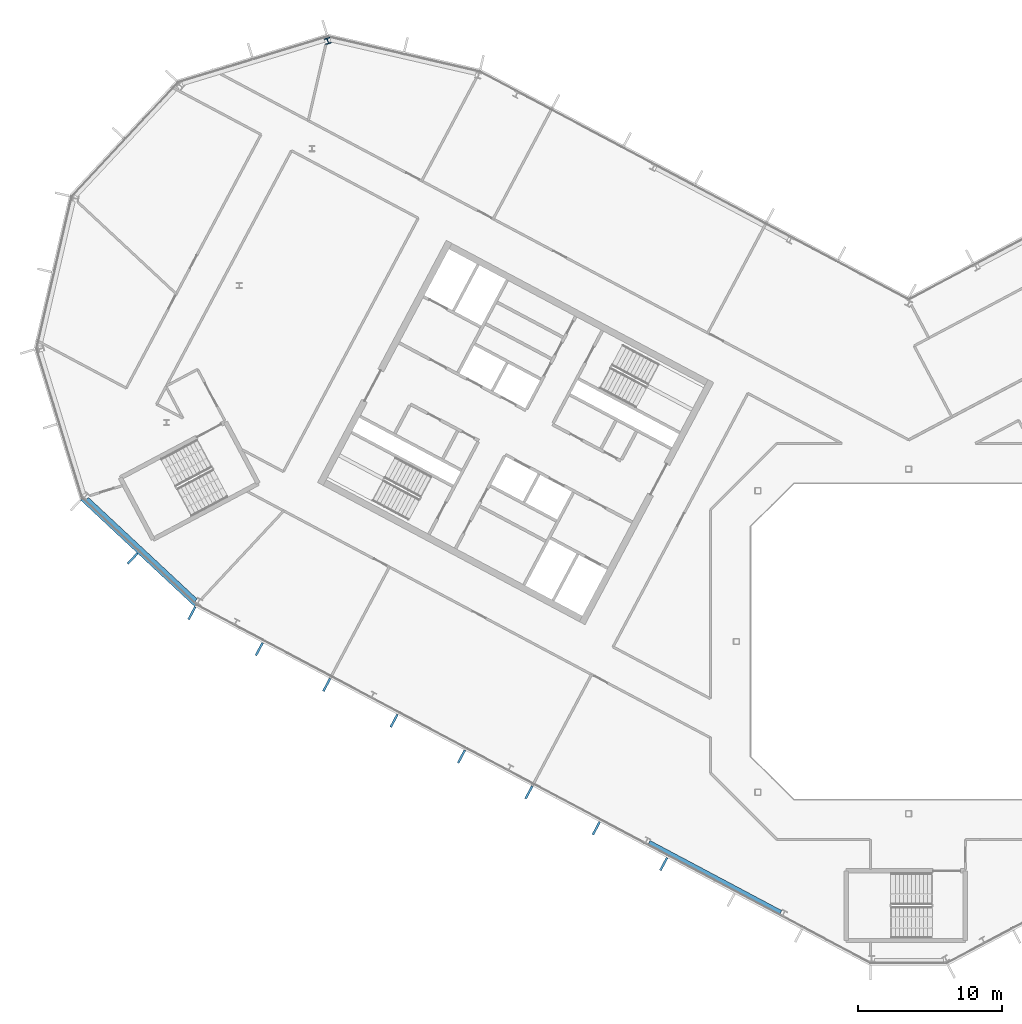
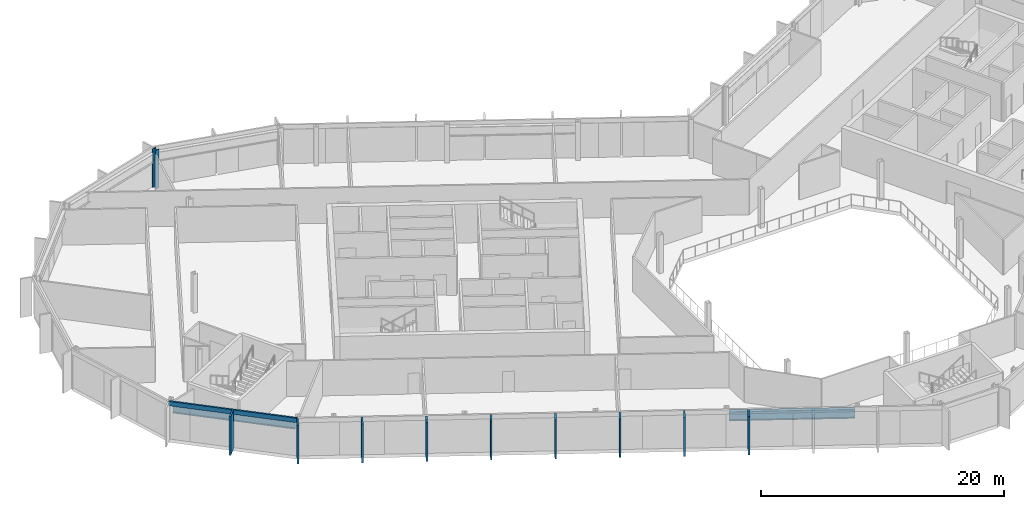
# One storey, part 8 of 26: 10 members, 2 beams, 1 column, 2 elements without a shape of their own.
"""IFC4 building model written with IfcOpenShell, lengths in metres."""

import ifcopenshell
import ifcopenshell.guid

model = None  # the IFC model being written
_history = None  # IfcOwnerHistory: only IFC2X3 demands one
_inside = {}  # id of a spatial element -> (the spatial element, [elements in it])
_under = {}  # id of a project, library or spatial element -> (it, [spatial elements below it])
_declared = {}  # id of a project -> (the project, [libraries it declares])
_typed = {}  # id of a type object -> (the type object, [elements of that type])
_made_of = {}  # id of a material, layer set ... -> (it, [elements and type objects made of it])


def new_model(schema):
    """Start an empty IFC model of exactly this schema.

    Asked for "IFC4X3", IfcOpenShell would pick the latest addendum, in which some entities
    have other attributes; the version numbers below select the first issue.
    IFC2X3 requires an IfcOwnerHistory on every rooted entity: one is made here for all.
    """
    global model, _history
    if schema == "IFC4X3":
        model = ifcopenshell.file(schema_version=(4, 3, 0, 0))
    else:
        model = ifcopenshell.file(schema=schema)
    _inside.clear()
    _under.clear()
    _declared.clear()
    _typed.clear()
    _made_of.clear()
    _history = None
    if model.schema == "IFC2X3":
        org = make("IfcOrganization", Name="unknown")
        user = make(
            "IfcPersonAndOrganization",
            ThePerson=make("IfcPerson", FamilyName="unknown"),
            TheOrganization=org,
        )
        app = make(
            "IfcApplication",
            ApplicationDeveloper=org,
            Version="unknown",
            ApplicationFullName="unknown",
            ApplicationIdentifier="unknown",
        )
        _history = make(
            "IfcOwnerHistory",
            OwningUser=user,
            OwningApplication=app,
            ChangeAction="ADDED",
            CreationDate=0,
        )
    return model


def make(cls, **values):
    """One entity of the class cls with the attributes given. An attribute that is None is left unset."""
    return model.create_entity(
        cls, **{name: value for name, value in values.items() if value is not None}
    )


def rooted(cls, **values):
    """An entity with a GlobalId (a new one), such as an element, a storey or a relation."""
    return make(cls, GlobalId=ifcopenshell.guid.new(), OwnerHistory=_history, **values)


def si_unit(unit_type, name, prefix=None):
    """IfcSIUnit, for example si_unit("LENGTHUNIT", "METRE", prefix="MILLI")."""
    return make("IfcSIUnit", UnitType=unit_type, Prefix=prefix, Name=name)


def assignment(units):
    """IfcUnitAssignment: the units of a project."""
    return None if units is None else make("IfcUnitAssignment", Units=units)


def point(xyz):
    """IfcCartesianPoint."""
    return None if xyz is None else make("IfcCartesianPoint", Coordinates=xyz)


def direction(xyz):
    """IfcDirection."""
    return None if xyz is None else make("IfcDirection", DirectionRatios=xyz)


def frame(location, z_axis=None, x_axis=None):
    """IfcAxis2Placement3D, a coordinate frame: its origin and axes. An axis left out is left unset."""
    return make(
        "IfcAxis2Placement3D",
        Location=point(location),
        Axis=direction(z_axis),
        RefDirection=direction(x_axis),
    )


def frame_2d(location, x_axis=None):
    """IfcAxis2Placement2D, a coordinate frame in the plane: its origin and x axis."""
    return make(
        "IfcAxis2Placement2D", Location=point(location), RefDirection=direction(x_axis)
    )


def origin():
    """The frame at (0, 0, 0) with its axes left unset."""
    return frame((0.0, 0.0, 0.0))


def origin_2d():
    """The frame at (0, 0) in the plane with its x axis left unset."""
    return frame_2d((0.0, 0.0))


def place(relative_to, where):
    """IfcLocalPlacement: puts the frame where relative to a parent placement (None: the world)."""
    return make(
        "IfcLocalPlacement", PlacementRelTo=relative_to, RelativePlacement=where
    )


def context(
    kind, dimensions, precision=None, world=None, true_north=None, identifier=None
):
    """IfcGeometricRepresentationContext, for example the 3D "Model" context."""
    return make(
        "IfcGeometricRepresentationContext",
        ContextIdentifier=identifier,
        ContextType=kind,
        CoordinateSpaceDimension=dimensions,
        Precision=precision,
        WorldCoordinateSystem=world,
        TrueNorth=true_north,
    )


def subcontext(parent, identifier, kind, view, scale=None):
    """IfcGeometricRepresentationSubContext, for example "Body" below "Model"."""
    return make(
        "IfcGeometricRepresentationSubContext",
        ContextIdentifier=identifier,
        ContextType=kind,
        ParentContext=parent,
        TargetScale=scale,
        TargetView=view,
    )


def project(units=None, contexts=None):
    """IfcProject with its units and contexts."""
    return rooted(
        "IfcProject",
        Name="project",
        RepresentationContexts=contexts,
        UnitsInContext=assignment(units),
    )


def spatial(cls, under=None, at=None, **own):
    """A site, building, storey or space (cls), placed at a placement, below another one or the project."""
    s = rooted(cls, ObjectPlacement=at, **own)
    if under is not None:
        _under.setdefault(under.id(), (under, []))[1].append(s)
    return s


def profile(cls, at=None, kind="AREA", **sizes):
    """A parametric profile (cls). Its sizes go by their IFC names, for example OverallWidth=200.0."""
    return make(cls, ProfileType=kind, Position=at, **sizes)


def rectangle(**sizes):
    """IfcRectangleProfileDef."""
    return profile("IfcRectangleProfileDef", **sizes)


def i_section(**sizes):
    """IfcIShapeProfileDef."""
    return profile("IfcIShapeProfileDef", **sizes)


def extrude(swept, where, along, depth):
    """IfcExtrudedAreaSolid: the profile swept, set in the frame where, extruded along a direction by depth."""
    return make(
        "IfcExtrudedAreaSolid",
        SweptArea=swept,
        Position=where,
        ExtrudedDirection=direction(along),
        Depth=depth,
    )


def shape(context_of_items, identifier, shape_type, items):
    """IfcShapeRepresentation: the items that make up one representation, for example the "Body"."""
    return make(
        "IfcShapeRepresentation",
        ContextOfItems=context_of_items,
        RepresentationIdentifier=identifier,
        RepresentationType=shape_type,
        Items=items,
    )


def material(Name=None, Category=None):
    """IfcMaterial."""
    return make("IfcMaterial", Name=Name, Category=Category)


def layer(
    of_material, thickness, ventilated=None, Name=None, Category=None, Priority=None
):
    """IfcMaterialLayer: one layer of a wall or slab, of a material (None: an air gap)."""
    return make(
        "IfcMaterialLayer",
        Material=of_material,
        LayerThickness=thickness,
        IsVentilated=ventilated,
        Name=Name,
        Category=Category,
        Priority=Priority,
    )


def layer_set(layers, Name=None):
    """IfcMaterialLayerSet."""
    return make("IfcMaterialLayerSet", MaterialLayers=layers, LayerSetName=Name)


def material_profile(
    of_material, cross_section, Name=None, Category=None, Priority=None
):
    """IfcMaterialProfile: a cross section and its material."""
    return make(
        "IfcMaterialProfile",
        Name=Name,
        Material=of_material,
        Profile=cross_section,
        Priority=Priority,
        Category=Category,
    )


def profile_set(profiles, Name=None, composite=None):
    """IfcMaterialProfileSet."""
    return make(
        "IfcMaterialProfileSet",
        Name=Name,
        MaterialProfiles=profiles,
        CompositeProfile=composite,
    )


def made_of(thing, what):
    """Note that an element or type object is made of a material, layer set ...; save() writes the relation."""
    if what is not None:
        _made_of.setdefault(what.id(), (what, []))[1].append(thing)
    return thing


def type_object(cls, material=None, **own):
    """A type object (cls), such as IfcWallType, which elements share."""
    return made_of(rooted(cls, **own), material)


def element(
    cls,
    number,
    at=None,
    inside=None,
    cuts=None,
    type_object=None,
    material=None,
    context=None,
    identifier="Body",
    shape_type=None,
    held_by="IfcProductDefinitionShape",
    body=None,
    shapes=None,
    **own,
):
    """One element of the class cls, such as IfcWall. Its Tag is "e" and its number.

    at: its placement. inside: the storey or other place that contains it. cuts: it is an
    opening in that element (IfcRelVoidsElement). A single representation is given by context,
    identifier, shape_type and body (its items); several are given by shapes. held_by: the class
    of the entity that holds the representations. save() writes the other relations.
    """
    e = rooted(cls, Tag="e%d" % number, ObjectPlacement=at, **own)
    if body is not None:
        shapes = [shape(context, identifier, shape_type, body)]
    if shapes is not None:
        e.Representation = make(held_by, Representations=shapes)
    if inside is not None:
        _inside.setdefault(inside.id(), (inside, []))[1].append(e)
    if cuts is not None:
        rooted(
            "IfcRelVoidsElement", RelatingBuildingElement=cuts, RelatedOpeningElement=e
        )
    if type_object is not None:
        _typed.setdefault(type_object.id(), (type_object, []))[1].append(e)
    return made_of(e, material)


def aggregate(whole, parts):
    """IfcRelAggregates: a whole, such as a stair, and the parts it consists of."""
    return rooted("IfcRelAggregates", RelatingObject=whole, RelatedObjects=parts)


def save(model, path):
    """Write the relations noted so far, then the file.

    IfcRelAggregates (storeys below a building ...), IfcRelContainedInSpatialStructure (elements
    in a storey), IfcRelDefinesByType, IfcRelAssociatesMaterial and IfcRelDeclares: one each for
    every whole, place, type object, material and project.
    """
    for whole, parts in _under.values():
        aggregate(whole, parts)
    for where, things in _inside.values():
        rooted(
            "IfcRelContainedInSpatialStructure",
            RelatedElements=things,
            RelatingStructure=where,
        )
    for kind, things in _typed.values():
        rooted("IfcRelDefinesByType", RelatedObjects=things, RelatingType=kind)
    for what, things in _made_of.values():
        rooted("IfcRelAssociatesMaterial", RelatedObjects=things, RelatingMaterial=what)
    for by, libraries in _declared.values():
        rooted("IfcRelDeclares", RelatingContext=by, RelatedDefinitions=libraries)
    model.write(path)


model = new_model("IFC4")

# Units and contexts
model_context = context("Model", 3, precision=1e-05, world=origin(), true_north=direction((0.0, 1.0)))
body_context = subcontext(model_context, "Body", "Model", "MODEL_VIEW")
ifc_project = project(units=[si_unit("LENGTHUNIT", "METRE"), si_unit("AREAUNIT", "SQUARE_METRE"), si_unit("VOLUMEUNIT", "CUBIC_METRE"), si_unit("PLANEANGLEUNIT", "RADIAN"), si_unit("MASSUNIT", "GRAM", prefix="KILO")], contexts=[model_context])

# Site, building, storey
site_placement = place(None, origin())
site = spatial("IfcSite", under=ifc_project, at=site_placement, CompositionType="ELEMENT")
building_placement = place(site_placement, origin())
building = spatial("IfcBuilding", under=site, at=building_placement, Name="Cormorant Relay Tower", CompositionType="ELEMENT")
storey_placement = place(building_placement, frame((0.0, 0.0, 300.89990234375)))
storey = spatial("IfcBuildingStorey", under=building, at=storey_placement, Name="L68", CompositionType="ELEMENT", Elevation=300.89990234375)

# Column
ifc_material_1 = material(Name="Steel ASTM A992 (Fy 345 MPa)", Category="steel")
ifc_material_profile_1 = material_profile(ifc_material_1, i_section(OverallWidth=0.40380859375, OverallDepth=0.406494140625, WebThickness=0.027099609375, FlangeThickness=0.043701171875, FilletRadius=0.01513671875, at=origin_2d()), Name="W360x347")
ifc_profile_set_1 = profile_set([ifc_material_profile_1], Name="Steel ASTM A992 (Fy 345 MPa)")
column_type = type_object("IfcColumnType", Name="Column W360x347", PredefinedType="COLUMN", material=ifc_profile_set_1)
column_placement = place(storey_placement, frame((-40.455078125, 41.823974609375, 0.0), z_axis=(0.0, 0.0, 1.0), x_axis=(-0.956304755963, -0.292371704723, 0.0)))
element("IfcColumn", 1, at=column_placement, inside=storey, type_object=column_type, Name="Column L68-043", PredefinedType="COLUMN", context=body_context, shape_type="SweptSolid", body=[
    extrude(i_section(OverallWidth=0.40380859375, OverallDepth=0.406494140625, WebThickness=0.027099609375, FlangeThickness=0.043701171875, FilletRadius=0.01513671875, at=origin_2d()), origin(), (0.0, 0.0, 1.0), 3.900146484375),
])

# Curtain wall, member
ifc_material_2 = material(Name="Aluminium 6063-T6 anodised bronze", Category="aluminium")
ifc_layer = layer(ifc_material_2, 0.199951171875)
ifc_layer_set = layer_set([ifc_layer], Name="CW1 unitised bronze curtain wall with vertical fins")
curtain_wall_type = type_object("IfcCurtainWallType", Name="CW1 unitised bronze curtain wall with vertical fins", PredefinedType="NOTDEFINED", material=ifc_layer_set)
curtain_wall_1_placement = place(storey_placement, origin())
curtain_wall_1 = element("IfcCurtainWall", 2, at=curtain_wall_1_placement, inside=storey, type_object=curtain_wall_type, Name="CW1 curtain wall 15", PredefinedType="NOTDEFINED")
ifc_material_3 = material(Name="Aluminium 6063-T6 anodised bronze", Category="aluminium")
ifc_material_profile_2 = material_profile(ifc_material_3, rectangle(XDim=0.14990234375, YDim=1.0, at=origin_2d()), Name="AL 150x1000")
ifc_profile_set_2 = profile_set([ifc_material_profile_2], Name="Aluminium 6063-T6 anodised bronze")
member_type_1 = type_object("IfcMemberType", Name="CW1 bronze fin mullion 150 x 1000", PredefinedType="MULLION", material=ifc_profile_set_2)
member_1_placement = place(storey_placement, frame((-54.0439453125, 5.779296875, 0.0), z_axis=(0.0, 0.0, 1.0), x_axis=(0.731353701619, -0.681998360062, 0.0)))
member_1 = element("IfcMember", 3, at=member_1_placement, type_object=member_type_1, Name="CW1 fin 15.2", PredefinedType="MULLION", context=body_context, shape_type="SweptSolid", body=[
    extrude(rectangle(XDim=0.14990234375, YDim=1.0, at=origin_2d()), origin(), (0.0, 0.0, 1.0), 3.900146484375),
])

# Curtain wall, members
curtain_wall_2_placement = place(storey_placement, origin())
curtain_wall_2 = element("IfcCurtainWall", 4, at=curtain_wall_2_placement, inside=storey, type_object=curtain_wall_type, Name="CW1 curtain wall 16", PredefinedType="NOTDEFINED")
member_2_placement = place(storey_placement, frame((-49.920166015625, 1.96630859375, 0.0), z_axis=(0.0, 0.0, 1.0), x_axis=(0.882947592859, -0.469471562786, 0.0)))
member_2 = element("IfcMember", 5, at=member_2_placement, type_object=member_type_1, Name="CW1 fin 16.1", PredefinedType="MULLION", context=body_context, shape_type="SweptSolid", body=[
    extrude(rectangle(XDim=0.14990234375, YDim=1.0, at=origin_2d()), origin(), (0.0, 0.0, 1.0), 3.900146484375),
])
member_3_placement = place(storey_placement, frame((-45.225830078125, -0.52978515625, 0.0), z_axis=(0.0, 0.0, 1.0), x_axis=(0.882947592859, -0.469471562786, 0.0)))
member_3 = element("IfcMember", 6, at=member_3_placement, type_object=member_type_1, Name="CW1 fin 16.2", PredefinedType="MULLION", context=body_context, shape_type="SweptSolid", body=[
    extrude(rectangle(XDim=0.14990234375, YDim=1.0, at=origin_2d()), origin(), (0.0, 0.0, 1.0), 3.900146484375),
])
member_4_placement = place(storey_placement, frame((-40.531494140625, -3.025634765625, 0.0), z_axis=(0.0, 0.0, 1.0), x_axis=(0.882947592859, -0.469471562786, 0.0)))
member_4 = element("IfcMember", 7, at=member_4_placement, type_object=member_type_1, Name="CW1 fin 16.3", PredefinedType="MULLION", context=body_context, shape_type="SweptSolid", body=[
    extrude(rectangle(XDim=0.14990234375, YDim=1.0, at=origin_2d()), origin(), (0.0, 0.0, 1.0), 3.900146484375),
])
member_5_placement = place(storey_placement, frame((-35.83740234375, -5.521728515625, 0.0), z_axis=(0.0, 0.0, 1.0), x_axis=(0.882947592859, -0.469471562786, 0.0)))
member_5 = element("IfcMember", 8, at=member_5_placement, type_object=member_type_1, Name="CW1 fin 16.4", PredefinedType="MULLION", context=body_context, shape_type="SweptSolid", body=[
    extrude(rectangle(XDim=0.14990234375, YDim=1.0, at=origin_2d()), origin(), (0.0, 0.0, 1.0), 3.900146484375),
])
member_6_placement = place(storey_placement, frame((-31.14306640625, -8.017578125, 0.0), z_axis=(0.0, 0.0, 1.0), x_axis=(0.882947592859, -0.469471562786, 0.0)))
member_6 = element("IfcMember", 9, at=member_6_placement, type_object=member_type_1, Name="CW1 fin 16.5", PredefinedType="MULLION", context=body_context, shape_type="SweptSolid", body=[
    extrude(rectangle(XDim=0.14990234375, YDim=1.0, at=origin_2d()), origin(), (0.0, 0.0, 1.0), 3.900146484375),
])
member_7_placement = place(storey_placement, frame((-26.44873046875, -10.513671875, 0.0), z_axis=(0.0, 0.0, 1.0), x_axis=(0.882947592859, -0.469471562786, 0.0)))
member_7 = element("IfcMember", 10, at=member_7_placement, type_object=member_type_1, Name="CW1 fin 16.6", PredefinedType="MULLION", context=body_context, shape_type="SweptSolid", body=[
    extrude(rectangle(XDim=0.14990234375, YDim=1.0, at=origin_2d()), origin(), (0.0, 0.0, 1.0), 3.900146484375),
])
member_8_placement = place(storey_placement, frame((-21.754638671875, -13.009765625, 0.0), z_axis=(0.0, 0.0, 1.0), x_axis=(0.882947592859, -0.469471562786, 0.0)))
member_8 = element("IfcMember", 11, at=member_8_placement, type_object=member_type_1, Name="CW1 fin 16.7", PredefinedType="MULLION", context=body_context, shape_type="SweptSolid", body=[
    extrude(rectangle(XDim=0.14990234375, YDim=1.0, at=origin_2d()), origin(), (0.0, 0.0, 1.0), 3.900146484375),
])
member_9_placement = place(storey_placement, frame((-17.060302734375, -15.505615234375, 0.0), z_axis=(0.0, 0.0, 1.0), x_axis=(0.882947592859, -0.469471562786, 0.0)))
member_9 = element("IfcMember", 12, at=member_9_placement, type_object=member_type_1, Name="CW1 fin 16.8", PredefinedType="MULLION", context=body_context, shape_type="SweptSolid", body=[
    extrude(rectangle(XDim=0.14990234375, YDim=1.0, at=origin_2d()), origin(), (0.0, 0.0, 1.0), 3.900146484375),
])
aggregate(curtain_wall_2, [member_2, member_3, member_4, member_5, member_6, member_7, member_8, member_9])

# Member
ifc_material_4 = material(Name="Aluminium 6063-T6 anodised bronze", Category="aluminium")
ifc_material_profile_3 = material_profile(ifc_material_4, rectangle(XDim=0.159912109375, YDim=0.449951171875, at=origin_2d()), Name="AL 160x450")
ifc_profile_set_3 = profile_set([ifc_material_profile_3], Name="Aluminium 6063-T6 anodised bronze")
member_type_2 = type_object("IfcMemberType", Name="CW1 bronze transom 160 x 450", PredefinedType="USERDEFINED", material=ifc_profile_set_3)
member_10_placement = place(storey_placement, frame((-57.62353515625, 9.91015625, 3.675048828125), z_axis=(0.731358420696, -0.681993299437, 0.0), x_axis=(0.681993299437, 0.731358420696, 0.0)))
member_10 = element("IfcMember", 13, at=member_10_placement, type_object=member_type_2, Name="CW1 transom 15", ObjectType="TRANSOM", PredefinedType="USERDEFINED", context=body_context, shape_type="SweptSolid", body=[
    extrude(rectangle(XDim=0.159912109375, YDim=0.449951171875, at=origin_2d()), origin(), (0.0, 0.0, 1.0), 10.870361328125),
])

aggregate(curtain_wall_1, [member_1, member_10])

# Beams
ifc_material_5 = material(Name="Steel ASTM A992 (Fy 345 MPa)", Category="steel")
ifc_material_profile_4 = material_profile(ifc_material_5, i_section(OverallWidth=0.307373046875, OverallDepth=0.927001953125, WebThickness=0.019287109375, FlangeThickness=0.031982421875, FilletRadius=0.01904296875, at=origin_2d()), Name="W920x289")
ifc_profile_set_4 = profile_set([ifc_material_profile_4], Name="Steel ASTM A992 (Fy 345 MPa)")
beam_type = type_object("IfcBeamType", Name="Spandrel W920x289", PredefinedType="SPANDREL", material=ifc_profile_set_4)
beam_1_placement = place(storey_placement, frame((-57.234619140625, 9.921630859375, 3.076416015625), z_axis=(0.731364191518, -0.681987110849, 0.0), x_axis=(0.681987110849, 0.731364191518, 0.0)))
element("IfcBeam", 14, at=beam_1_placement, inside=storey, type_object=beam_type, Name="Spandrel beam L68-015", PredefinedType="SPANDREL", context=body_context, shape_type="SweptSolid", body=[
    extrude(i_section(OverallWidth=0.307373046875, OverallDepth=0.927001953125, WebThickness=0.019287109375, FlangeThickness=0.031982421875, FilletRadius=0.01904296875, at=origin_2d()), origin(), (0.0, 0.0, 1.0), 10.37841796875),
])
beam_2_placement = place(storey_placement, frame((-18.0869140625, -13.992919921875, 3.076416015625), z_axis=(0.882946088703, -0.469474391681, 0.0), x_axis=(0.469474391681, 0.882946088703, 0.0)))
element("IfcBeam", 15, at=beam_2_placement, inside=storey, type_object=beam_type, Name="Spandrel beam L68-016", PredefinedType="SPANDREL", context=body_context, shape_type="SweptSolid", body=[
    extrude(i_section(OverallWidth=0.307373046875, OverallDepth=0.927001953125, WebThickness=0.019287109375, FlangeThickness=0.031982421875, FilletRadius=0.01904296875, at=origin_2d()), origin(), (0.0, 0.0, 1.0), 10.401611328125),
])

save(model, "model.ifc")
